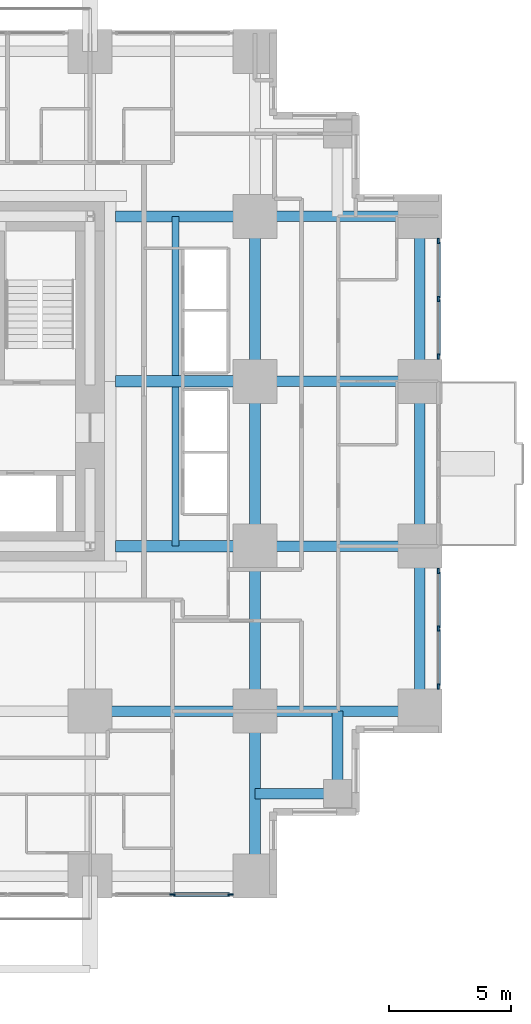
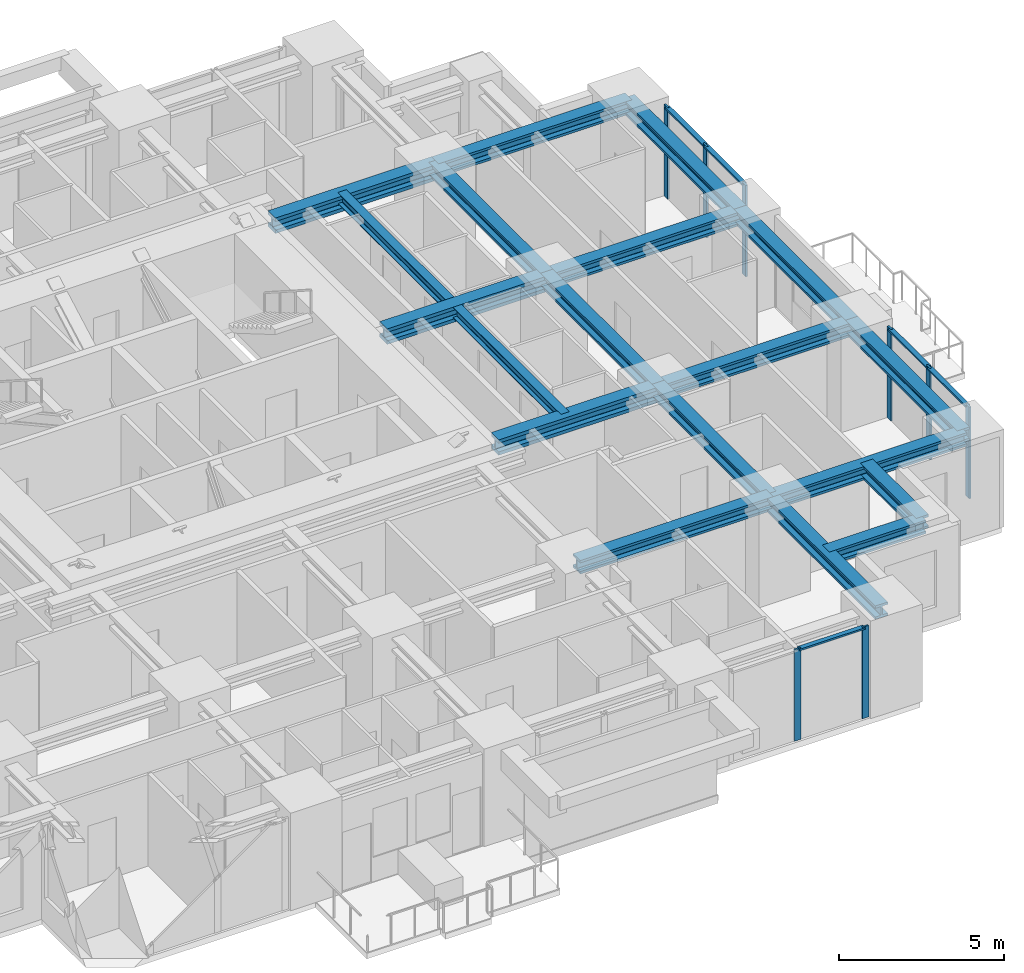
# One storey, part 4 of 13: 19 beams, 13 members, 3 elements without a shape of their own.
"""IFC4 building model written with IfcOpenShell, lengths in metres."""

from ifc_helpers import new_model, si_unit, direction, frame, origin, origin_2d, place, context, subcontext, project, spatial, rectangle, i_section, extrude, material, material_profile, profile_set, type_object, element, aggregate, save


model = new_model("IFC4")

# Units and contexts
model_context = context("Model", 3, precision=1e-05, world=origin(), true_north=direction((0.0, 1.0)))
body_context = subcontext(model_context, "Body", "Model", "MODEL_VIEW")
ifc_project = project(units=[si_unit("LENGTHUNIT", "METRE"), si_unit("AREAUNIT", "SQUARE_METRE"), si_unit("VOLUMEUNIT", "CUBIC_METRE"), si_unit("PLANEANGLEUNIT", "RADIAN"), si_unit("MASSUNIT", "GRAM", prefix="KILO")], contexts=[model_context])

# Site, building, storey
site_placement = place(None, origin())
site = spatial("IfcSite", under=ifc_project, at=site_placement, CompositionType="ELEMENT")
building_placement = place(site_placement, origin())
building = spatial("IfcBuilding", under=site, at=building_placement, Name="Nyansa Garden Tower", CompositionType="ELEMENT")
storey_placement = place(building_placement, frame((0.0, 0.0, 87.300048828125)))
storey = spatial("IfcBuildingStorey", under=building, at=storey_placement, Name="L23", CompositionType="ELEMENT", Elevation=87.300048828125)

# Curtain wall, members
ifc_material_1 = material(Name="Black anodised aluminium, dark tinted double glazing", Category="aluminium")
curtain_wall_type = type_object("IfcCurtainWallType", Name="Inner skin curtain wall ISW-B", PredefinedType="USERDEFINED", material=ifc_material_1)
curtain_wall_1_placement = place(storey_placement, origin())
curtain_wall_1 = element("IfcCurtainWall", 1, at=curtain_wall_1_placement, inside=storey, type_object=curtain_wall_type, Name="Inner skin curtain wall L23 E", ObjectType="UNITISED CURTAIN WALL", PredefinedType="USERDEFINED")
ifc_material_2 = material(Name="Black anodised aluminium", Category="aluminium")
ifc_material_profile_1 = material_profile(ifc_material_2, rectangle(XDim=0.06494140625, YDim=0.22509765625, at=origin_2d()), Name="Mullion 225x65")
ifc_profile_set_1 = profile_set([ifc_material_profile_1], Name="Black anodised aluminium")
member_type_1 = type_object("IfcMemberType", Name="Mullion ISW-B 225x65", PredefinedType="MULLION", material=ifc_profile_set_1)
member_1_placement = place(storey_placement, frame((41.25, 7.762451171875, 0.0), z_axis=(0.0, 0.0, 1.0), x_axis=(-1.0, 0.0, 0.0)))
member_1 = element("IfcMember", 2, at=member_1_placement, type_object=member_type_1, Name="ISW-B mullion 1", PredefinedType="MULLION", context=body_context, shape_type="SweptSolid", body=[
    extrude(rectangle(XDim=0.06494140625, YDim=0.22509765625, at=origin_2d()), origin(), (0.0, 0.0, 1.0), 3.375),
])
member_2_placement = place(storey_placement, frame((41.25, 10.125, 0.0), z_axis=(0.0, 0.0, 1.0), x_axis=(-1.0, 0.0, 0.0)))
member_2 = element("IfcMember", 3, at=member_2_placement, type_object=member_type_1, Name="ISW-B mullion 2", PredefinedType="MULLION", context=body_context, shape_type="SweptSolid", body=[
    extrude(rectangle(XDim=0.06494140625, YDim=0.22509765625, at=origin_2d()), origin(), (0.0, 0.0, 1.0), 3.375),
])
member_3_placement = place(storey_placement, frame((41.25, 12.487548828125, 0.0), z_axis=(0.0, 0.0, 1.0), x_axis=(-1.0, 0.0, 0.0)))
member_3 = element("IfcMember", 4, at=member_3_placement, type_object=member_type_1, Name="ISW-B mullion 3", PredefinedType="MULLION", context=body_context, shape_type="SweptSolid", body=[
    extrude(rectangle(XDim=0.06494140625, YDim=0.22509765625, at=origin_2d()), origin(), (0.0, 0.0, 1.0), 3.375),
])

curtain_wall_2_placement = place(storey_placement, origin())
curtain_wall_2 = element("IfcCurtainWall", 5, at=curtain_wall_2_placement, inside=storey, type_object=curtain_wall_type, Name="Inner skin curtain wall L23 E", ObjectType="UNITISED CURTAIN WALL", PredefinedType="USERDEFINED")
member_4_placement = place(storey_placement, frame((41.25, 21.262451171875, 0.0), z_axis=(0.0, 0.0, 1.0), x_axis=(-1.0, 0.0, 0.0)))
member_4 = element("IfcMember", 6, at=member_4_placement, type_object=member_type_1, Name="ISW-B mullion 1", PredefinedType="MULLION", context=body_context, shape_type="SweptSolid", body=[
    extrude(rectangle(XDim=0.06494140625, YDim=0.22509765625, at=origin_2d()), origin(), (0.0, 0.0, 1.0), 3.375),
])
member_5_placement = place(storey_placement, frame((41.25, 23.625, 0.0), z_axis=(0.0, 0.0, 1.0), x_axis=(-1.0, 0.0, 0.0)))
member_5 = element("IfcMember", 7, at=member_5_placement, type_object=member_type_1, Name="ISW-B mullion 2", PredefinedType="MULLION", context=body_context, shape_type="SweptSolid", body=[
    extrude(rectangle(XDim=0.06494140625, YDim=0.22509765625, at=origin_2d()), origin(), (0.0, 0.0, 1.0), 3.375),
])
member_6_placement = place(storey_placement, frame((41.25, 25.987548828125, 0.0), z_axis=(0.0, 0.0, 1.0), x_axis=(-1.0, 0.0, 0.0)))
member_6 = element("IfcMember", 8, at=member_6_placement, type_object=member_type_1, Name="ISW-B mullion 3", PredefinedType="MULLION", context=body_context, shape_type="SweptSolid", body=[
    extrude(rectangle(XDim=0.06494140625, YDim=0.22509765625, at=origin_2d()), origin(), (0.0, 0.0, 1.0), 3.375),
])

curtain_wall_3_placement = place(storey_placement, origin())
curtain_wall_3 = element("IfcCurtainWall", 9, at=curtain_wall_3_placement, inside=storey, type_object=curtain_wall_type, Name="Inner skin curtain wall L23 S", ObjectType="UNITISED CURTAIN WALL", PredefinedType="USERDEFINED")
member_7_placement = place(storey_placement, frame((30.375, -0.75, 0.0), z_axis=(0.0, 0.0, 1.0), x_axis=(0.0, 1.0, 0.0)))
member_7 = element("IfcMember", 10, at=member_7_placement, type_object=member_type_1, Name="ISW-B mullion 2", PredefinedType="MULLION", context=body_context, shape_type="SweptSolid", body=[
    extrude(rectangle(XDim=0.06494140625, YDim=0.22509765625, at=origin_2d()), origin(), (0.0, 0.0, 1.0), 3.375),
])
member_8_placement = place(storey_placement, frame((32.737548828125, -0.75, 0.0), z_axis=(0.0, 0.0, 1.0), x_axis=(0.0, 1.0, 0.0)))
member_8 = element("IfcMember", 11, at=member_8_placement, type_object=member_type_1, Name="ISW-B mullion 3", PredefinedType="MULLION", context=body_context, shape_type="SweptSolid", body=[
    extrude(rectangle(XDim=0.06494140625, YDim=0.22509765625, at=origin_2d()), origin(), (0.0, 0.0, 1.0), 3.375),
])

# Beams
ifc_material_3 = material(Name="Steel S355", Category="steel")
ifc_material_profile_2 = material_profile(ifc_material_3, i_section(OverallWidth=0.431884765625, OverallDepth=0.498046875, WebThickness=0.0556640625, FlangeThickness=0.0888671875, FilletRadius=0.014892578125, at=origin_2d()), Name="HD 400x744")
ifc_profile_set_2 = profile_set([ifc_material_profile_2], Name="Steel S355")
beam_type_1 = type_object("IfcBeamType", Name="Steel beam SBB1-744 HD 400x744", PredefinedType="BEAM", material=ifc_profile_set_2)
for number, where, z_axis, x_axis, name in (
    (12, (27.0, 6.75, 3.1259765625), (1.0, 0.0, 0.0), (0.0, 1.0, 0.0), "Steel beam 6/E-7/E L24"),
    (13, (33.75, 0.0, 3.1259765625), (0.0, 1.0, 0.0), (-1.0, 0.0, 0.0), "Steel beam 7/D-7/E L24"),
    (14, (33.75, 6.75, 3.1259765625), (0.0, 1.0, 0.0), (-1.0, 0.0, 0.0), "Steel beam 7/E-7/F L24"),
    (15, (33.75, 6.75, 3.1259765625), (1.0, 0.0, 0.0), (0.0, 1.0, 0.0), "Steel beam 7/E-8/E L24"),
    (16, (33.75, 13.5, 3.1259765625), (0.0, 1.0, 0.0), (-1.0, 0.0, 0.0), "Steel beam 7/F-7/G L24"),
    (17, (33.75, 13.5, 3.1259765625), (1.0, 0.0, 0.0), (0.0, 1.0, 0.0), "Steel beam 7/F-8/F L24"),
    (18, (33.75, 20.25, 3.1259765625), (0.0, 1.0, 0.0), (-1.0, 0.0, 0.0), "Steel beam 7/G-7/H L24"),
    (19, (33.75, 20.25, 3.1259765625), (1.0, 0.0, 0.0), (0.0, 1.0, 0.0), "Steel beam 7/G-8/G L24"),
    (20, (33.75, 27.0, 3.1259765625), (1.0, 0.0, 0.0), (0.0, 1.0, 0.0), "Steel beam 7/H-8/H L24"),
):
    element("IfcBeam", number, at=place(storey_placement, frame(where, z_axis=z_axis, x_axis=x_axis)), inside=storey, type_object=beam_type_1, Name=name, PredefinedType="BEAM", context=body_context, shape_type="SweptSolid", body=[
        extrude(i_section(OverallWidth=0.431884765625, OverallDepth=0.498046875, WebThickness=0.0556640625, FlangeThickness=0.0888671875, FilletRadius=0.014892578125, at=origin_2d()), origin(), (0.0, 0.0, 1.0), 6.75),
    ])
ifc_material_4 = material(Name="Steel S355", Category="steel")
ifc_material_profile_3 = material_profile(ifc_material_4, i_section(OverallWidth=0.4541015625, OverallDepth=0.569091796875, WebThickness=0.077880859375, FlangeThickness=0.125, FilletRadius=0.014892578125, at=origin_2d()), Name="HD 400x1086")
ifc_profile_set_3 = profile_set([ifc_material_profile_3], Name="Steel S355")
beam_type_2 = type_object("IfcBeamType", Name="Steel beam SCL-1086 HD 400x1086", PredefinedType="BEAM", material=ifc_profile_set_3)
for number, where, z_axis, x_axis, name in (
    (21, (28.050048828125, 13.5, 3.09033203125), (1.0, 0.0, 0.0), (0.0, 1.0, 0.0), "Steel beam 28.050/F-7/F L24"),
    (22, (28.050048828125, 20.25, 3.09033203125), (1.0, 0.0, 0.0), (0.0, 1.0, 0.0), "Steel beam 28.050/G-7/G L24"),
    (23, (28.050048828125, 27.0, 3.09033203125), (1.0, 0.0, 0.0), (0.0, 1.0, 0.0), "Steel beam 28.050/H-7/H L24"),
):
    element("IfcBeam", number, at=place(storey_placement, frame(where, z_axis=z_axis, x_axis=x_axis)), inside=storey, type_object=beam_type_2, Name=name, PredefinedType="BEAM", context=body_context, shape_type="SweptSolid", body=[
        extrude(i_section(OverallWidth=0.4541015625, OverallDepth=0.569091796875, WebThickness=0.077880859375, FlangeThickness=0.125, FilletRadius=0.014892578125, at=origin_2d()), origin(), (0.0, 0.0, 1.0), 5.699951171875),
    ])
ifc_material_5 = material(Name="Steel S355", Category="steel")
ifc_material_profile_4 = material_profile(ifc_material_5, i_section(OverallWidth=0.431884765625, OverallDepth=0.498046875, WebThickness=0.0556640625, FlangeThickness=0.0888671875, FilletRadius=0.014892578125, at=origin_2d()), Name="HD 400x744")
ifc_profile_set_4 = profile_set([ifc_material_profile_4], Name="Steel S355")
beam_type_3 = type_object("IfcBeamType", Name="Steel beam SEBB-744 HD 400x744", PredefinedType="BEAM", material=ifc_profile_set_4)
for number, where, z_axis, x_axis, name in (
    (24, (40.5, 6.75, 3.1259765625), (0.0, 1.0, 0.0), (-1.0, 0.0, 0.0), "Steel edge beam 8/E-8/F L24"),
    (25, (40.5, 13.5, 3.1259765625), (0.0, 1.0, 0.0), (-1.0, 0.0, 0.0), "Steel edge beam 8/F-8/G L24"),
    (26, (40.5, 20.25, 3.1259765625), (0.0, 1.0, 0.0), (-1.0, 0.0, 0.0), "Steel edge beam 8/G-8/H L24"),
):
    element("IfcBeam", number, at=place(storey_placement, frame(where, z_axis=z_axis, x_axis=x_axis)), inside=storey, type_object=beam_type_3, Name=name, PredefinedType="BEAM", context=body_context, shape_type="SweptSolid", body=[
        extrude(i_section(OverallWidth=0.431884765625, OverallDepth=0.498046875, WebThickness=0.0556640625, FlangeThickness=0.0888671875, FilletRadius=0.014892578125, at=origin_2d()), origin(), (0.0, 0.0, 1.0), 6.75),
    ])
ifc_material_6 = material(Name="Steel S355", Category="steel")
ifc_material_profile_5 = material_profile(ifc_material_6, i_section(OverallWidth=0.431884765625, OverallDepth=0.498046875, WebThickness=0.0556640625, FlangeThickness=0.0888671875, FilletRadius=0.014892578125, at=origin_2d()), Name="HD 400x744")
ifc_profile_set_5 = profile_set([ifc_material_profile_5], Name="Steel S355")
beam_type_4 = type_object("IfcBeamType", Name="Steel beam SSB1-744 HD 400x744", PredefinedType="BEAM", material=ifc_profile_set_5)
for number, where, z_axis, x_axis, name in (
    (27, (37.125, 3.375, 3.1259765625), (0.0, 1.0, 0.0), (-1.0, 0.0, 0.0), "Steel step beam 37.125/3.375 L24"),
    (28, (37.125, 3.375, 3.1259765625), (-1.0, 0.0, 0.0), (0.0, -1.0, 0.0), "Steel step beam 37.125/3.375 L24"),
):
    element("IfcBeam", number, at=place(storey_placement, frame(where, z_axis=z_axis, x_axis=x_axis)), inside=storey, type_object=beam_type_4, Name=name, PredefinedType="BEAM", context=body_context, shape_type="SweptSolid", body=[
        extrude(i_section(OverallWidth=0.431884765625, OverallDepth=0.498046875, WebThickness=0.0556640625, FlangeThickness=0.0888671875, FilletRadius=0.014892578125, at=origin_2d()), origin(), (0.0, 0.0, 1.0), 3.375),
    ])

# Member
ifc_material_7 = material(Name="Black anodised aluminium", Category="aluminium")
ifc_material_profile_6 = material_profile(ifc_material_7, rectangle(XDim=0.1650390625, YDim=0.06494140625, at=origin_2d()), Name="Transom 165x65")
ifc_profile_set_6 = profile_set([ifc_material_profile_6], Name="Black anodised aluminium")
member_type_2 = type_object("IfcMemberType", Name="Transom ISW-B 165x65", PredefinedType="USERDEFINED", material=ifc_profile_set_6)
member_9_placement = place(storey_placement, frame((41.25, 7.794921875, 3.342529296875), z_axis=(0.0, 1.0, 0.0), x_axis=(-1.0, 0.0, 0.0)))
member_9 = element("IfcMember", 29, at=member_9_placement, type_object=member_type_2, Name="ISW-B transom 1", ObjectType="TRANSOM", PredefinedType="USERDEFINED", context=body_context, shape_type="SweptSolid", body=[
    extrude(rectangle(XDim=0.1650390625, YDim=0.06494140625, at=origin_2d()), origin(), (0.0, 0.0, 1.0), 2.297607421875),
])

member_10_placement = place(storey_placement, frame((41.25, 10.157470703125, 3.342529296875), z_axis=(0.0, 1.0, 0.0), x_axis=(-1.0, 0.0, 0.0)))
member_10 = element("IfcMember", 30, at=member_10_placement, type_object=member_type_2, Name="ISW-B transom 2", ObjectType="TRANSOM", PredefinedType="USERDEFINED", context=body_context, shape_type="SweptSolid", body=[
    extrude(rectangle(XDim=0.1650390625, YDim=0.06494140625, at=origin_2d()), origin(), (0.0, 0.0, 1.0), 2.297607421875),
])

aggregate(curtain_wall_1, [member_1, member_2, member_3, member_9, member_10])

member_11_placement = place(storey_placement, frame((41.25, 21.294921875, 3.342529296875), z_axis=(0.0, 1.0, 0.0), x_axis=(-1.0, 0.0, 0.0)))
member_11 = element("IfcMember", 31, at=member_11_placement, type_object=member_type_2, Name="ISW-B transom 1", ObjectType="TRANSOM", PredefinedType="USERDEFINED", context=body_context, shape_type="SweptSolid", body=[
    extrude(rectangle(XDim=0.1650390625, YDim=0.06494140625, at=origin_2d()), origin(), (0.0, 0.0, 1.0), 2.297607421875),
])

member_12_placement = place(storey_placement, frame((41.25, 23.657470703125, 3.342529296875), z_axis=(0.0, 1.0, 0.0), x_axis=(-1.0, 0.0, 0.0)))
member_12 = element("IfcMember", 32, at=member_12_placement, type_object=member_type_2, Name="ISW-B transom 2", ObjectType="TRANSOM", PredefinedType="USERDEFINED", context=body_context, shape_type="SweptSolid", body=[
    extrude(rectangle(XDim=0.1650390625, YDim=0.06494140625, at=origin_2d()), origin(), (0.0, 0.0, 1.0), 2.297607421875),
])

aggregate(curtain_wall_2, [member_4, member_5, member_6, member_11, member_12])

member_13_placement = place(storey_placement, frame((30.407470703125, -0.75, 3.342529296875), z_axis=(1.0, 0.0, 0.0), x_axis=(0.0, 1.0, 0.0)))
member_13 = element("IfcMember", 33, at=member_13_placement, type_object=member_type_2, Name="ISW-B transom 2", ObjectType="TRANSOM", PredefinedType="USERDEFINED", context=body_context, shape_type="SweptSolid", body=[
    extrude(rectangle(XDim=0.1650390625, YDim=0.06494140625, at=origin_2d()), origin(), (0.0, 0.0, 1.0), 2.297607421875),
])

aggregate(curtain_wall_3, [member_7, member_8, member_13])

# Beams
ifc_material_8 = material(Name="Steel S355", Category="steel")
ifc_material_profile_7 = material_profile(ifc_material_8, i_section(OverallWidth=0.300048828125, OverallDepth=0.39990234375, WebThickness=0.013427734375, FlangeThickness=0.02392578125, FilletRadius=0.027099609375, at=origin_2d()), Name="HE 400 B")
ifc_profile_set_7 = profile_set([ifc_material_profile_7], Name="Steel S355")
beam_type_5 = type_object("IfcBeamType", Name="Trimmer beam TR1 HE 400 B", PredefinedType="BEAM", material=ifc_profile_set_7)
for number, where, z_axis, x_axis, name in (
    (34, (30.5, 13.5, 3.175048828125), (0.0, 1.0, 0.0), (-1.0, 0.0, 0.0), "Trimmer beam 1 L24"),
    (35, (30.5, 20.47705078125, 3.175048828125), (0.0, 1.0, 0.0), (-1.0, 0.0, 0.0), "Trimmer beam 2 L24"),
):
    element("IfcBeam", number, at=place(storey_placement, frame(where, z_axis=z_axis, x_axis=x_axis)), inside=storey, type_object=beam_type_5, Name=name, PredefinedType="BEAM", context=body_context, shape_type="SweptSolid", body=[
        extrude(i_section(OverallWidth=0.300048828125, OverallDepth=0.39990234375, WebThickness=0.013427734375, FlangeThickness=0.02392578125, FilletRadius=0.027099609375, at=origin_2d()), origin(), (0.0, 0.0, 1.0), 6.52294921875),
    ])

save(model, "model.ifc")
